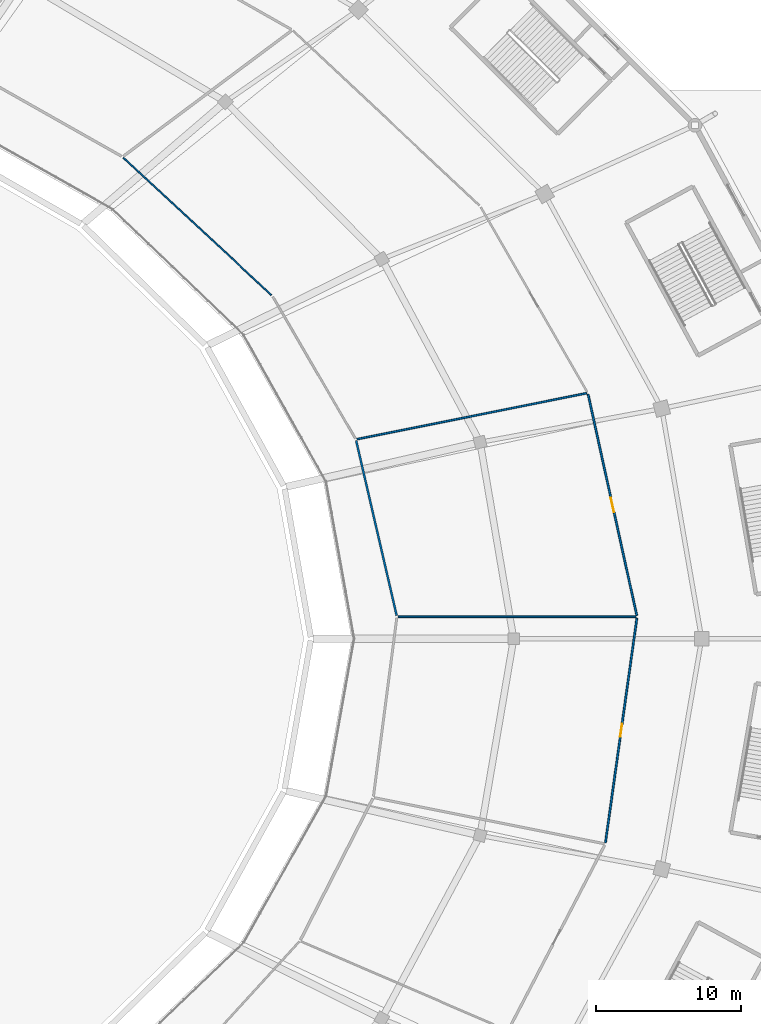
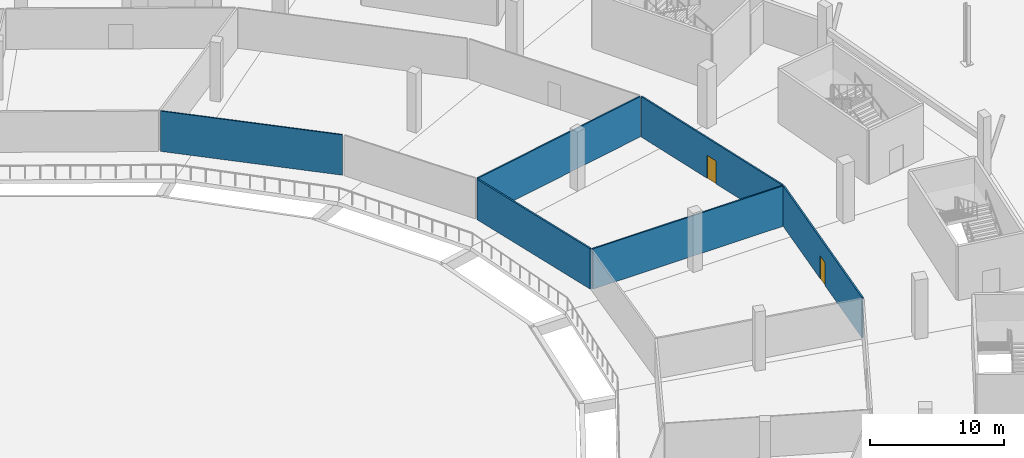
# One storey, part 46 of 82: 6 walls, 2 doors, 2 openings.
"""IFC4 building model written with IfcOpenShell, lengths in metres."""

import ifcopenshell
import ifcopenshell.guid

model = None  # the IFC model being written
_history = None  # IfcOwnerHistory: only IFC2X3 demands one
_inside = {}  # id of a spatial element -> (the spatial element, [elements in it])
_under = {}  # id of a project, library or spatial element -> (it, [spatial elements below it])
_declared = {}  # id of a project -> (the project, [libraries it declares])
_typed = {}  # id of a type object -> (the type object, [elements of that type])
_made_of = {}  # id of a material, layer set ... -> (it, [elements and type objects made of it])


def new_model(schema):
    """Start an empty IFC model of exactly this schema.

    Asked for "IFC4X3", IfcOpenShell would pick the latest addendum, in which some entities
    have other attributes; the version numbers below select the first issue.
    IFC2X3 requires an IfcOwnerHistory on every rooted entity: one is made here for all.
    """
    global model, _history
    if schema == "IFC4X3":
        model = ifcopenshell.file(schema_version=(4, 3, 0, 0))
    else:
        model = ifcopenshell.file(schema=schema)
    _inside.clear()
    _under.clear()
    _declared.clear()
    _typed.clear()
    _made_of.clear()
    _history = None
    if model.schema == "IFC2X3":
        org = make("IfcOrganization", Name="unknown")
        user = make(
            "IfcPersonAndOrganization",
            ThePerson=make("IfcPerson", FamilyName="unknown"),
            TheOrganization=org,
        )
        app = make(
            "IfcApplication",
            ApplicationDeveloper=org,
            Version="unknown",
            ApplicationFullName="unknown",
            ApplicationIdentifier="unknown",
        )
        _history = make(
            "IfcOwnerHistory",
            OwningUser=user,
            OwningApplication=app,
            ChangeAction="ADDED",
            CreationDate=0,
        )
    return model


def make(cls, **values):
    """One entity of the class cls with the attributes given. An attribute that is None is left unset."""
    return model.create_entity(
        cls, **{name: value for name, value in values.items() if value is not None}
    )


def rooted(cls, **values):
    """An entity with a GlobalId (a new one), such as an element, a storey or a relation."""
    return make(cls, GlobalId=ifcopenshell.guid.new(), OwnerHistory=_history, **values)


def si_unit(unit_type, name, prefix=None):
    """IfcSIUnit, for example si_unit("LENGTHUNIT", "METRE", prefix="MILLI")."""
    return make("IfcSIUnit", UnitType=unit_type, Prefix=prefix, Name=name)


def assignment(units):
    """IfcUnitAssignment: the units of a project."""
    return None if units is None else make("IfcUnitAssignment", Units=units)


def point(xyz):
    """IfcCartesianPoint."""
    return None if xyz is None else make("IfcCartesianPoint", Coordinates=xyz)


def direction(xyz):
    """IfcDirection."""
    return None if xyz is None else make("IfcDirection", DirectionRatios=xyz)


def frame(location, z_axis=None, x_axis=None):
    """IfcAxis2Placement3D, a coordinate frame: its origin and axes. An axis left out is left unset."""
    return make(
        "IfcAxis2Placement3D",
        Location=point(location),
        Axis=direction(z_axis),
        RefDirection=direction(x_axis),
    )


def frame_2d(location, x_axis=None):
    """IfcAxis2Placement2D, a coordinate frame in the plane: its origin and x axis."""
    return make(
        "IfcAxis2Placement2D", Location=point(location), RefDirection=direction(x_axis)
    )


def origin():
    """The frame at (0, 0, 0) with its axes left unset."""
    return frame((0.0, 0.0, 0.0))


def place(relative_to, where):
    """IfcLocalPlacement: puts the frame where relative to a parent placement (None: the world)."""
    return make(
        "IfcLocalPlacement", PlacementRelTo=relative_to, RelativePlacement=where
    )


def context(
    kind, dimensions, precision=None, world=None, true_north=None, identifier=None
):
    """IfcGeometricRepresentationContext, for example the 3D "Model" context."""
    return make(
        "IfcGeometricRepresentationContext",
        ContextIdentifier=identifier,
        ContextType=kind,
        CoordinateSpaceDimension=dimensions,
        Precision=precision,
        WorldCoordinateSystem=world,
        TrueNorth=true_north,
    )


def subcontext(parent, identifier, kind, view, scale=None):
    """IfcGeometricRepresentationSubContext, for example "Body" below "Model"."""
    return make(
        "IfcGeometricRepresentationSubContext",
        ContextIdentifier=identifier,
        ContextType=kind,
        ParentContext=parent,
        TargetScale=scale,
        TargetView=view,
    )


def project(units=None, contexts=None):
    """IfcProject with its units and contexts."""
    return rooted(
        "IfcProject",
        Name="project",
        RepresentationContexts=contexts,
        UnitsInContext=assignment(units),
    )


def spatial(cls, under=None, at=None, **own):
    """A site, building, storey or space (cls), placed at a placement, below another one or the project."""
    s = rooted(cls, ObjectPlacement=at, **own)
    if under is not None:
        _under.setdefault(under.id(), (under, []))[1].append(s)
    return s


def profile(cls, at=None, kind="AREA", **sizes):
    """A parametric profile (cls). Its sizes go by their IFC names, for example OverallWidth=200.0."""
    return make(cls, ProfileType=kind, Position=at, **sizes)


def rectangle(**sizes):
    """IfcRectangleProfileDef."""
    return profile("IfcRectangleProfileDef", **sizes)


def extrude(swept, where, along, depth):
    """IfcExtrudedAreaSolid: the profile swept, set in the frame where, extruded along a direction by depth."""
    return make(
        "IfcExtrudedAreaSolid",
        SweptArea=swept,
        Position=where,
        ExtrudedDirection=direction(along),
        Depth=depth,
    )


def shape(context_of_items, identifier, shape_type, items):
    """IfcShapeRepresentation: the items that make up one representation, for example the "Body"."""
    return make(
        "IfcShapeRepresentation",
        ContextOfItems=context_of_items,
        RepresentationIdentifier=identifier,
        RepresentationType=shape_type,
        Items=items,
    )


def material(Name=None, Category=None):
    """IfcMaterial."""
    return make("IfcMaterial", Name=Name, Category=Category)


def layer(
    of_material, thickness, ventilated=None, Name=None, Category=None, Priority=None
):
    """IfcMaterialLayer: one layer of a wall or slab, of a material (None: an air gap)."""
    return make(
        "IfcMaterialLayer",
        Material=of_material,
        LayerThickness=thickness,
        IsVentilated=ventilated,
        Name=Name,
        Category=Category,
        Priority=Priority,
    )


def layer_set(layers, Name=None):
    """IfcMaterialLayerSet."""
    return make("IfcMaterialLayerSet", MaterialLayers=layers, LayerSetName=Name)


def made_of(thing, what):
    """Note that an element or type object is made of a material, layer set ...; save() writes the relation."""
    if what is not None:
        _made_of.setdefault(what.id(), (what, []))[1].append(thing)
    return thing


def type_object(cls, material=None, **own):
    """A type object (cls), such as IfcWallType, which elements share."""
    return made_of(rooted(cls, **own), material)


def element(
    cls,
    number,
    at=None,
    inside=None,
    cuts=None,
    type_object=None,
    material=None,
    context=None,
    identifier="Body",
    shape_type=None,
    held_by="IfcProductDefinitionShape",
    body=None,
    shapes=None,
    **own,
):
    """One element of the class cls, such as IfcWall. Its Tag is "e" and its number.

    at: its placement. inside: the storey or other place that contains it. cuts: it is an
    opening in that element (IfcRelVoidsElement). A single representation is given by context,
    identifier, shape_type and body (its items); several are given by shapes. held_by: the class
    of the entity that holds the representations. save() writes the other relations.
    """
    e = rooted(cls, Tag="e%d" % number, ObjectPlacement=at, **own)
    if body is not None:
        shapes = [shape(context, identifier, shape_type, body)]
    if shapes is not None:
        e.Representation = make(held_by, Representations=shapes)
    if inside is not None:
        _inside.setdefault(inside.id(), (inside, []))[1].append(e)
    if cuts is not None:
        rooted(
            "IfcRelVoidsElement", RelatingBuildingElement=cuts, RelatedOpeningElement=e
        )
    if type_object is not None:
        _typed.setdefault(type_object.id(), (type_object, []))[1].append(e)
    return made_of(e, material)


def fill(opening, filler):
    """IfcRelFillsElement: the door or window that sits in an opening."""
    return rooted(
        "IfcRelFillsElement",
        RelatingOpeningElement=opening,
        RelatedBuildingElement=filler,
    )


def aggregate(whole, parts):
    """IfcRelAggregates: a whole, such as a stair, and the parts it consists of."""
    return rooted("IfcRelAggregates", RelatingObject=whole, RelatedObjects=parts)


def save(model, path):
    """Write the relations noted so far, then the file.

    IfcRelAggregates (storeys below a building ...), IfcRelContainedInSpatialStructure (elements
    in a storey), IfcRelDefinesByType, IfcRelAssociatesMaterial and IfcRelDeclares: one each for
    every whole, place, type object, material and project.
    """
    for whole, parts in _under.values():
        aggregate(whole, parts)
    for where, things in _inside.values():
        rooted(
            "IfcRelContainedInSpatialStructure",
            RelatedElements=things,
            RelatingStructure=where,
        )
    for kind, things in _typed.values():
        rooted("IfcRelDefinesByType", RelatedObjects=things, RelatingType=kind)
    for what, things in _made_of.values():
        rooted("IfcRelAssociatesMaterial", RelatedObjects=things, RelatingMaterial=what)
    for by, libraries in _declared.values():
        rooted("IfcRelDeclares", RelatingContext=by, RelatedDefinitions=libraries)
    model.write(path)


model = new_model("IFC4")

# Units and contexts
model_context = context("Model", 3, precision=1e-05, world=origin(), true_north=direction((0.0, 1.0)))
body_context = subcontext(model_context, "Body", "Model", "MODEL_VIEW")
ifc_project = project(units=[si_unit("LENGTHUNIT", "METRE"), si_unit("AREAUNIT", "SQUARE_METRE"), si_unit("VOLUMEUNIT", "CUBIC_METRE"), si_unit("PLANEANGLEUNIT", "RADIAN"), si_unit("MASSUNIT", "GRAM", prefix="KILO")], contexts=[model_context])

# Site, building, storey
site_placement = place(None, origin())
site = spatial("IfcSite", under=ifc_project, at=site_placement, CompositionType="ELEMENT")
building_placement = place(site_placement, origin())
building = spatial("IfcBuilding", under=site, at=building_placement, Name="Zlatoyarsky Gate Stadium", CompositionType="ELEMENT")
storey_placement = place(building_placement, origin())
storey = spatial("IfcBuildingStorey", under=building, at=storey_placement, Name="L00", CompositionType="ELEMENT", Elevation=0.0)

# Walls
ifc_material_1 = material(Name="Moisture-resistant masonry partition", Category="masonry")
ifc_layer_1 = layer(ifc_material_1, 0.139892578125)
ifc_layer_set_1 = layer_set([ifc_layer_1], Name="Moisture-resistant masonry partition")
wall_type_1 = type_object("IfcWallType", Name="ATHLETE CHANGING BLOCK PARTITION 140", PredefinedType="PARTITIONING", material=ifc_layer_set_1)
wall_1_placement = place(storey_placement, frame((170.91650390625, 81.610107421875, 0.0), z_axis=(0.0, 0.0, 1.0), x_axis=(-0.225607806151, 0.974218208516, 0.0)))
element("IfcWall", 1, at=wall_1_placement, inside=storey, type_object=wall_type_1, Name="L00 interior partition PRT-L00-IRN-00", PredefinedType="PARTITIONING", context=body_context, shape_type="SweptSolid", body=[
    extrude(rectangle(XDim=12.413330078125, YDim=0.139892578125, at=frame_2d((6.20654296875, 0.0))), origin(), (0.0, 0.0, 1.0), 3.68994140625),
])
ifc_material_2 = material(Name="Metal-stud gypsum partition", Category="gypsum")
ifc_layer_2 = layer(ifc_material_2, 0.10009765625)
ifc_layer_set_2 = layer_set([ifc_layer_2], Name="Metal-stud gypsum partition")
wall_type_2 = type_object("IfcWallType", Name="LIGHT STORAGE PARTITION 100", PredefinedType="PARTITIONING", material=ifc_layer_set_2)
wall_2_placement = place(storey_placement, frame((162.255859375, 103.767578125, 0.0), z_axis=(0.0, 0.0, 1.0), x_axis=(-0.732801594193, 0.680442373422, 0.0)))
element("IfcWall", 2, at=wall_2_placement, inside=storey, type_object=wall_type_2, Name="L00 interior partition PRT-L00-IRN-02", PredefinedType="PARTITIONING", context=body_context, shape_type="SweptSolid", body=[
    extrude(rectangle(XDim=13.951171875, YDim=0.10009765625, at=frame_2d((6.9755859375, 0.0))), origin(), (0.0, 0.0, 1.0), 3.68994140625),
])
ifc_layer_3 = layer(ifc_material_2, 0.1201171875)
ifc_layer_set_3 = layer_set([ifc_layer_3], Name="Metal-stud gypsum partition")
wall_type_3 = type_object("IfcWallType", Name="OFFICE AND PRESS PARTITION 120", PredefinedType="PARTITIONING", material=ifc_layer_set_3)
wall_3_placement = place(storey_placement, frame((168.179931640625, 93.802734375, 0.0), z_axis=(0.0, 0.0, 1.0), x_axis=(0.980564421787, 0.196197387154, 0.0)))
element("IfcWall", 3, at=wall_3_placement, inside=storey, type_object=wall_type_3, Name="L00 interior partition PRT-L00-IRD-01", PredefinedType="PARTITIONING", context=body_context, shape_type="SweptSolid", body=[
    extrude(rectangle(XDim=16.17919921875, YDim=0.1201171875, at=frame_2d((8.089599609375, 0.0))), origin(), (0.0, 0.0, 1.0), 3.68994140625),
])
wall_4_placement = place(storey_placement, frame((171.020751953125, 81.52734375, 0.0), z_axis=(0.0, 0.0, 1.0), x_axis=(0.99999999989, -1.4860387e-05, 0.0)))
element("IfcWall", 4, at=wall_4_placement, inside=storey, type_object=wall_type_3, Name="L00 interior partition PRT-L00-IRD-00", PredefinedType="PARTITIONING", context=body_context, shape_type="SweptSolid", body=[
    extrude(rectangle(XDim=16.428955078125, YDim=0.1201171875, at=frame_2d((8.21435546875, 0.0))), origin(), (0.0, 0.0, 1.0), 3.68994140625),
])

# Wall, opening, door
ifc_material_3 = material(Name="Moisture-resistant tile-backed partition", Category="gypsum")
ifc_layer_4 = layer(ifc_material_3, 0.1298828125)
ifc_layer_set_4 = layer_set([ifc_layer_4], Name="Moisture-resistant tile-backed partition")
wall_type_4 = type_object("IfcWallType", Name="SANITARY WET ROOM PARTITION 130", PredefinedType="PARTITIONING", material=ifc_layer_set_4)
wall_5_placement = place(storey_placement, frame((187.516357421875, 81.610107421875, 0.0), z_axis=(0.0, 0.0, 1.0), x_axis=(-0.215105238973, 0.976590874505, 0.0)))
wall_5 = element("IfcWall", 5, at=wall_5_placement, inside=storey, type_object=wall_type_4, Name="L00 interior partition PRT-L00-ICC-00", PredefinedType="PARTITIONING", context=body_context, shape_type="SweptSolid", body=[
    extrude(rectangle(XDim=15.667236328125, YDim=0.1298828125, at=frame_2d((7.83349609375, 0.0))), origin(), (0.0, 0.0, 1.0), 3.68994140625),
])
opening_1_placement = place(wall_5_placement, frame((7.32373046875, 0.0, 0.0)))
opening_1 = element("IfcOpeningElement", 6, at=opening_1_placement, cuts=wall_5, Name="Opening D-L00-104", PredefinedType="OPENING", context=body_context, shape_type="SweptSolid", body=[
    extrude(rectangle(XDim=1.02001953125, YDim=2.10009765625, at=frame_2d((0.510009765625, 1.050048828125))), frame((0.0, 0.074951171875, 0.0), z_axis=(0.0, -1.0, 0.0), x_axis=(1.0, 0.0, 0.0)), (0.0, 0.0, 1.0), 0.14990234375),
])
ifc_material_4 = material(Name="Solid-core oak veneer acoustic door", Category="wood")
door_type_1 = type_object("IfcDoorType", Name="ACOUSTIC INTERIOR DOOR 1020X2100", OperationType="NOTDEFINED", PredefinedType="DOOR", material=ifc_material_4)
door_1_placement = place(opening_1_placement, origin())
door_1 = element("IfcDoor", 7, at=door_1_placement, inside=storey, type_object=door_type_1, Name="L00 room door D-L00-104", OperationType="SINGLE_SWING_LEFT", OverallHeight=2.10009765625, OverallWidth=1.02001953125, PredefinedType="DOOR", context=body_context, shape_type="SweptSolid", body=[
    extrude(rectangle(XDim=1.02001953125, YDim=2.10009765625, at=frame_2d((0.510009765625, 1.050048828125))), frame((0.0, 0.02490234375, 0.0), z_axis=(0.0, -1.0, 0.0), x_axis=(1.0, 0.0, 0.0)), (0.0, 0.0, 1.0), 0.050048828125),
])
fill(opening_1, door_1)

wall_6_placement = place(storey_placement, frame((185.348876953125, 65.90771484375, 0.0), z_axis=(0.0, 0.0, 1.0), x_axis=(0.13859472383, 0.99034918212, 0.0)))
wall_6 = element("IfcWall", 8, at=wall_6_placement, inside=storey, type_object=wall_type_4, Name="L00 interior partition PRT-L00-ICC-23", PredefinedType="PARTITIONING", context=body_context, shape_type="SweptSolid", body=[
    extrude(rectangle(XDim=15.6865234375, YDim=0.1298828125, at=frame_2d((7.84326171875, 0.0))), origin(), (0.0, 0.0, 1.0), 3.68994140625),
])
opening_2_placement = place(wall_6_placement, frame((7.393310546875, 0.0, 0.0)))
opening_2 = element("IfcOpeningElement", 9, at=opening_2_placement, cuts=wall_6, Name="Opening D-L00-184", PredefinedType="OPENING", context=body_context, shape_type="SweptSolid", body=[
    extrude(rectangle(XDim=0.89990234375, YDim=2.10009765625, at=frame_2d((0.449951171875, 1.050048828125))), frame((0.0, 0.074951171875, 0.0), z_axis=(0.0, -1.0, 0.0), x_axis=(1.0, 0.0, 0.0)), (0.0, 0.0, 1.0), 0.14990234375),
])
door_type_2 = type_object("IfcDoorType", Name="ACOUSTIC INTERIOR DOOR 900X2100", OperationType="NOTDEFINED", PredefinedType="DOOR", material=ifc_material_4)
door_2_placement = place(opening_2_placement, origin())
door_2 = element("IfcDoor", 10, at=door_2_placement, inside=storey, type_object=door_type_2, Name="L00 room door D-L00-184", OperationType="SINGLE_SWING_LEFT", OverallHeight=2.10009765625, OverallWidth=0.89990234375, PredefinedType="DOOR", context=body_context, shape_type="SweptSolid", body=[
    extrude(rectangle(XDim=0.89990234375, YDim=2.10009765625, at=frame_2d((0.449951171875, 1.050048828125))), frame((0.0, 0.02490234375, 0.0), z_axis=(0.0, -1.0, 0.0), x_axis=(1.0, 0.0, 0.0)), (0.0, 0.0, 1.0), 0.050048828125),
])
fill(opening_2, door_2)

save(model, "model.ifc")
